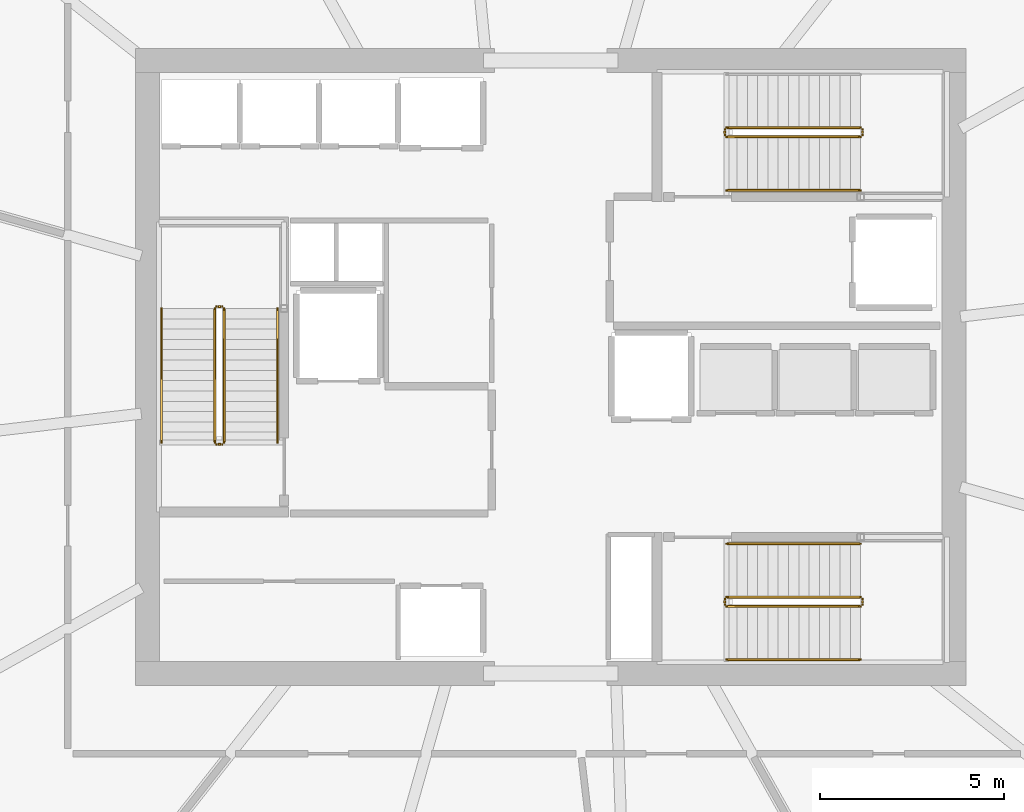
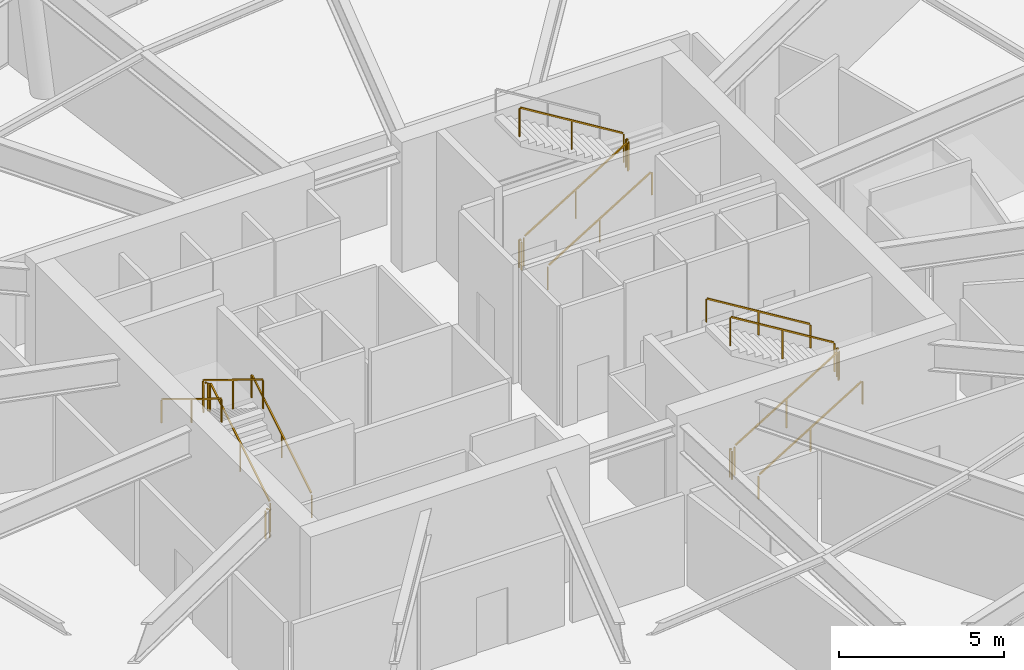
# One storey, part 20 of 22: 17 railings.
"""IFC4 building model written with IfcOpenShell, lengths in metres."""

from ifc_helpers import new_model, si_unit, direction, frame, origin, origin_2d, place, context, subcontext, project, spatial, rectangle, extrude, material, type_object, element, save


model = new_model("IFC4")

# Units and contexts
model_context = context("Model", 3, precision=1e-05, world=origin(), true_north=direction((0.0, 1.0)))
body_context = subcontext(model_context, "Body", "Model", "MODEL_VIEW")
ifc_project = project(units=[si_unit("LENGTHUNIT", "METRE"), si_unit("AREAUNIT", "SQUARE_METRE"), si_unit("VOLUMEUNIT", "CUBIC_METRE"), si_unit("PLANEANGLEUNIT", "RADIAN"), si_unit("MASSUNIT", "GRAM", prefix="KILO")], contexts=[model_context])

# Site, building, storey
site_placement = place(None, origin())
site = spatial("IfcSite", under=ifc_project, at=site_placement, CompositionType="ELEMENT")
building_placement = place(site_placement, origin())
building = spatial("IfcBuilding", under=site, at=building_placement, Name="Kazma Halo Residences", CompositionType="ELEMENT")
storey_placement = place(building_placement, frame((0.0, 0.0, 231.89990234375)))
storey = spatial("IfcBuildingStorey", under=building, at=storey_placement, Name="L58", CompositionType="ELEMENT", Elevation=231.89990234375)

# Railings
ifc_material_1 = material(Name="Painted Steel S355", Category="steel")
railing_type_1 = type_object("IfcRailingType", Name="RLG-STAIR-GRD-1100", PredefinedType="GUARDRAIL", material=ifc_material_1)
railing_1_placement = place(storey_placement, frame((39.550048828125, 39.949951171875, 0.171630859375)))
element("IfcRailing", 1, at=railing_1_placement, inside=storey, type_object=railing_type_1, Name="L58 ST-01 stair guard 1", PredefinedType="GUARDRAIL", context=body_context, shape_type="SweptSolid", body=[
    extrude(rectangle(XDim=0.050048828125, YDim=0.050048828125, at=origin_2d()), frame((0.0, 0.036376953125, 1.09716796875), z_axis=(0.0, 0.852865859571, 0.52213008492), x_axis=(-1.0, 0.0, 0.0)), (0.0, 0.0, 1.0), 4.18310546875),
    extrude(rectangle(XDim=0.0400390625, YDim=0.0400390625, at=origin_2d()), origin(), (0.0, 0.0, 1.0), 1.0380859375),
    extrude(rectangle(XDim=0.0400390625, YDim=0.0400390625, at=origin_2d()), frame((0.0, 1.820068359375, 1.1142578125)), (0.0, 0.0, 1.0), 1.0380859375),
    extrude(rectangle(XDim=0.0400390625, YDim=0.0400390625, at=origin_2d()), frame((0.0, 3.64013671875, 2.228515625)), (0.0, 0.0, 1.0), 1.0380859375),
])
railing_2_placement = place(storey_placement, frame((39.5, 43.639892578125, 2.400146484375)))
element("IfcRailing", 2, at=railing_2_placement, inside=storey, type_object=railing_type_1, Name="L58 ST-01 stair guard 2", PredefinedType="GUARDRAIL", context=body_context, shape_type="SweptSolid", body=[
    extrude(rectangle(XDim=0.050048828125, YDim=0.050048828125, at=origin_2d()), frame((-0.04248046875, 0.0, 1.0751953125), z_axis=(-1.0, 0.0, 0.0), x_axis=(0.0, -1.0, 0.0)), (0.0, 0.0, 1.0), 0.06494140625),
    extrude(rectangle(XDim=0.0400390625, YDim=0.0400390625, at=origin_2d()), origin(), (0.0, 0.0, 1.0), 1.0380859375),
    extrude(rectangle(XDim=0.0400390625, YDim=0.0400390625, at=origin_2d()), frame((-0.14990234375, 0.0, 0.0)), (0.0, 0.0, 1.0), 1.0380859375),
])
railing_3_placement = place(storey_placement, frame((39.300048828125, 43.590087890625, 2.571533203125)))
element("IfcRailing", 3, at=railing_3_placement, inside=storey, type_object=railing_type_1, Name="L58 ST-01 stair guard 3", PredefinedType="GUARDRAIL", context=body_context, shape_type="SweptSolid", body=[
    extrude(rectangle(XDim=0.050048828125, YDim=0.050048828125, at=origin_2d()), frame((0.0, -0.036376953125, 1.09716796875), z_axis=(0.0, -0.852865859571, 0.52213008492), x_axis=(1.0, 0.0, 0.0)), (0.0, 0.0, 1.0), 4.18310546875),
    extrude(rectangle(XDim=0.0400390625, YDim=0.0400390625, at=origin_2d()), origin(), (0.0, 0.0, 1.0), 1.0380859375),
    extrude(rectangle(XDim=0.0400390625, YDim=0.0400390625, at=origin_2d()), frame((0.0, -1.820068359375, 1.1142578125)), (0.0, 0.0, 1.0), 1.0380859375),
    extrude(rectangle(XDim=0.0400390625, YDim=0.0400390625, at=origin_2d()), frame((0.0, -3.64013671875, 2.228515625)), (0.0, 0.0, 1.0), 1.0380859375),
])
railing_4_placement = place(storey_placement, frame((39.5, 39.89990234375, 0.0)))
element("IfcRailing", 4, at=railing_4_placement, inside=storey, type_object=railing_type_1, Name="L58 ST-01 stair guard 4", PredefinedType="GUARDRAIL", context=body_context, shape_type="SweptSolid", body=[
    extrude(rectangle(XDim=0.050048828125, YDim=0.050048828125, at=origin_2d()), frame((-0.04248046875, 0.0, 1.0751953125), z_axis=(-1.0, 0.0, 0.0), x_axis=(0.0, -1.0, 0.0)), (0.0, 0.0, 1.0), 0.06494140625),
    extrude(rectangle(XDim=0.0400390625, YDim=0.0400390625, at=origin_2d()), origin(), (0.0, 0.0, 1.0), 1.0380859375),
    extrude(rectangle(XDim=0.0400390625, YDim=0.0400390625, at=origin_2d()), frame((-0.14990234375, 0.0, 0.0)), (0.0, 0.0, 1.0), 1.0380859375),
])
railing_5_placement = place(storey_placement, frame((53.199951171875, 48.25, 0.171630859375)))
element("IfcRailing", 5, at=railing_5_placement, inside=storey, type_object=railing_type_1, Name="L58 ST-02 stair guard 1", PredefinedType="GUARDRAIL", context=body_context, shape_type="SweptSolid", body=[
    extrude(rectangle(XDim=0.050048828125, YDim=0.050048828125, at=origin_2d()), frame((0.036376953125, 0.0, 1.09716796875), z_axis=(0.852865859571, 0.0, 0.52213008492), x_axis=(0.0, 1.0, 0.0)), (0.0, 0.0, 1.0), 4.18310546875),
    extrude(rectangle(XDim=0.0400390625, YDim=0.0400390625, at=origin_2d()), origin(), (0.0, 0.0, 1.0), 1.0380859375),
    extrude(rectangle(XDim=0.0400390625, YDim=0.0400390625, at=origin_2d()), frame((1.820068359375, 0.0, 1.1142578125)), (0.0, 0.0, 1.0), 1.0380859375),
    extrude(rectangle(XDim=0.0400390625, YDim=0.0400390625, at=origin_2d()), frame((3.64013671875, 0.0, 2.228515625)), (0.0, 0.0, 1.0), 1.0380859375),
])
railing_6_placement = place(storey_placement, frame((56.889892578125, 48.300048828125, 2.400146484375)))
element("IfcRailing", 6, at=railing_6_placement, inside=storey, type_object=railing_type_1, Name="L58 ST-02 stair guard 2", PredefinedType="GUARDRAIL", context=body_context, shape_type="SweptSolid", body=[
    extrude(rectangle(XDim=0.050048828125, YDim=0.050048828125, at=origin_2d()), frame((0.0, 0.04248046875, 1.0751953125), z_axis=(0.0, 1.0, 0.0), x_axis=(-1.0, 0.0, 0.0)), (0.0, 0.0, 1.0), 0.06494140625),
    extrude(rectangle(XDim=0.0400390625, YDim=0.0400390625, at=origin_2d()), origin(), (0.0, 0.0, 1.0), 1.0380859375),
    extrude(rectangle(XDim=0.0400390625, YDim=0.0400390625, at=origin_2d()), frame((0.0, 0.14990234375, 0.0)), (0.0, 0.0, 1.0), 1.0380859375),
])
railing_7_placement = place(storey_placement, frame((56.840087890625, 48.5, 2.571533203125)))
element("IfcRailing", 7, at=railing_7_placement, inside=storey, type_object=railing_type_1, Name="L58 ST-02 stair guard 3", PredefinedType="GUARDRAIL", context=body_context, shape_type="SweptSolid", body=[
    extrude(rectangle(XDim=0.050048828125, YDim=0.050048828125, at=origin_2d()), frame((-0.036376953125, 0.0, 1.09716796875), z_axis=(-0.852865859571, 0.0, 0.52213008492), x_axis=(0.0, -1.0, 0.0)), (0.0, 0.0, 1.0), 4.18310546875),
    extrude(rectangle(XDim=0.0400390625, YDim=0.0400390625, at=origin_2d()), origin(), (0.0, 0.0, 1.0), 1.0380859375),
    extrude(rectangle(XDim=0.0400390625, YDim=0.0400390625, at=origin_2d()), frame((-1.820068359375, 0.0, 1.1142578125)), (0.0, 0.0, 1.0), 1.0380859375),
    extrude(rectangle(XDim=0.0400390625, YDim=0.0400390625, at=origin_2d()), frame((-3.64013671875, 0.0, 2.228515625)), (0.0, 0.0, 1.0), 1.0380859375),
])
railing_8_placement = place(storey_placement, frame((53.14990234375, 48.300048828125, 0.0)))
element("IfcRailing", 8, at=railing_8_placement, inside=storey, type_object=railing_type_1, Name="L58 ST-02 stair guard 4", PredefinedType="GUARDRAIL", context=body_context, shape_type="SweptSolid", body=[
    extrude(rectangle(XDim=0.050048828125, YDim=0.050048828125, at=origin_2d()), frame((0.0, 0.04248046875, 1.0751953125), z_axis=(0.0, 1.0, 0.0), x_axis=(-1.0, 0.0, 0.0)), (0.0, 0.0, 1.0), 0.06494140625),
    extrude(rectangle(XDim=0.0400390625, YDim=0.0400390625, at=origin_2d()), origin(), (0.0, 0.0, 1.0), 1.0380859375),
    extrude(rectangle(XDim=0.0400390625, YDim=0.0400390625, at=origin_2d()), frame((0.0, 0.14990234375, 0.0)), (0.0, 0.0, 1.0), 1.0380859375),
])
railing_9_placement = place(storey_placement, frame((53.199951171875, 35.5, 0.171630859375)))
element("IfcRailing", 9, at=railing_9_placement, inside=storey, type_object=railing_type_1, Name="L58 ST-03 stair guard 1", PredefinedType="GUARDRAIL", context=body_context, shape_type="SweptSolid", body=[
    extrude(rectangle(XDim=0.050048828125, YDim=0.050048828125, at=origin_2d()), frame((0.036376953125, 0.0, 1.09716796875), z_axis=(0.852865859571, 0.0, 0.52213008492), x_axis=(0.0, 1.0, 0.0)), (0.0, 0.0, 1.0), 4.18310546875),
    extrude(rectangle(XDim=0.0400390625, YDim=0.0400390625, at=origin_2d()), origin(), (0.0, 0.0, 1.0), 1.0380859375),
    extrude(rectangle(XDim=0.0400390625, YDim=0.0400390625, at=origin_2d()), frame((1.820068359375, 0.0, 1.1142578125)), (0.0, 0.0, 1.0), 1.0380859375),
    extrude(rectangle(XDim=0.0400390625, YDim=0.0400390625, at=origin_2d()), frame((3.64013671875, 0.0, 2.228515625)), (0.0, 0.0, 1.0), 1.0380859375),
])
railing_10_placement = place(storey_placement, frame((56.889892578125, 35.550048828125, 2.400146484375)))
element("IfcRailing", 10, at=railing_10_placement, inside=storey, type_object=railing_type_1, Name="L58 ST-03 stair guard 2", PredefinedType="GUARDRAIL", context=body_context, shape_type="SweptSolid", body=[
    extrude(rectangle(XDim=0.050048828125, YDim=0.050048828125, at=origin_2d()), frame((0.0, 0.04248046875, 1.0751953125), z_axis=(0.0, 1.0, 0.0), x_axis=(-1.0, 0.0, 0.0)), (0.0, 0.0, 1.0), 0.06494140625),
    extrude(rectangle(XDim=0.0400390625, YDim=0.0400390625, at=origin_2d()), origin(), (0.0, 0.0, 1.0), 1.0380859375),
    extrude(rectangle(XDim=0.0400390625, YDim=0.0400390625, at=origin_2d()), frame((0.0, 0.14990234375, 0.0)), (0.0, 0.0, 1.0), 1.0380859375),
])
railing_11_placement = place(storey_placement, frame((56.840087890625, 35.75, 2.571533203125)))
element("IfcRailing", 11, at=railing_11_placement, inside=storey, type_object=railing_type_1, Name="L58 ST-03 stair guard 3", PredefinedType="GUARDRAIL", context=body_context, shape_type="SweptSolid", body=[
    extrude(rectangle(XDim=0.050048828125, YDim=0.050048828125, at=origin_2d()), frame((-0.036376953125, 0.0, 1.09716796875), z_axis=(-0.852865859571, 0.0, 0.52213008492), x_axis=(0.0, -1.0, 0.0)), (0.0, 0.0, 1.0), 4.18310546875),
    extrude(rectangle(XDim=0.0400390625, YDim=0.0400390625, at=origin_2d()), origin(), (0.0, 0.0, 1.0), 1.0380859375),
    extrude(rectangle(XDim=0.0400390625, YDim=0.0400390625, at=origin_2d()), frame((-1.820068359375, 0.0, 1.1142578125)), (0.0, 0.0, 1.0), 1.0380859375),
    extrude(rectangle(XDim=0.0400390625, YDim=0.0400390625, at=origin_2d()), frame((-3.64013671875, 0.0, 2.228515625)), (0.0, 0.0, 1.0), 1.0380859375),
])
railing_12_placement = place(storey_placement, frame((53.14990234375, 35.550048828125, 0.0)))
element("IfcRailing", 12, at=railing_12_placement, inside=storey, type_object=railing_type_1, Name="L58 ST-03 stair guard 4", PredefinedType="GUARDRAIL", context=body_context, shape_type="SweptSolid", body=[
    extrude(rectangle(XDim=0.050048828125, YDim=0.050048828125, at=origin_2d()), frame((0.0, 0.04248046875, 1.0751953125), z_axis=(0.0, 1.0, 0.0), x_axis=(-1.0, 0.0, 0.0)), (0.0, 0.0, 1.0), 0.06494140625),
    extrude(rectangle(XDim=0.0400390625, YDim=0.0400390625, at=origin_2d()), origin(), (0.0, 0.0, 1.0), 1.0380859375),
    extrude(rectangle(XDim=0.0400390625, YDim=0.0400390625, at=origin_2d()), frame((0.0, 0.14990234375, 0.0)), (0.0, 0.0, 1.0), 1.0380859375),
])
ifc_material_2 = material(Name="Brushed Stainless Steel", Category="steel")
railing_type_2 = type_object("IfcRailingType", Name="RLG-STAIR-HND-900", PredefinedType="HANDRAIL", material=ifc_material_2)
railing_13_placement = place(storey_placement, frame((41.0, 39.949951171875, 0.171630859375)))
element("IfcRailing", 13, at=railing_13_placement, inside=storey, type_object=railing_type_2, Name="L58 ST-01 stair handrail 1", PredefinedType="HANDRAIL", context=body_context, shape_type="SweptSolid", body=[
    extrude(rectangle(XDim=0.050048828125, YDim=0.050048828125, at=origin_2d()), frame((0.0, 0.036376953125, 0.89697265625), z_axis=(0.0, 0.852865859571, 0.52213008492), x_axis=(-1.0, 0.0, 0.0)), (0.0, 0.0, 1.0), 4.18310546875),
    extrude(rectangle(XDim=0.0400390625, YDim=0.0400390625, at=origin_2d()), origin(), (0.0, 0.0, 1.0), 0.837890625),
    extrude(rectangle(XDim=0.0400390625, YDim=0.0400390625, at=origin_2d()), frame((0.0, 1.820068359375, 1.1142578125)), (0.0, 0.0, 1.0), 0.837890625),
    extrude(rectangle(XDim=0.0400390625, YDim=0.0400390625, at=origin_2d()), frame((0.0, 3.64013671875, 2.228515625)), (0.0, 0.0, 1.0), 0.837890625),
])
railing_14_placement = place(storey_placement, frame((37.85009765625, 43.590087890625, 2.571533203125)))
element("IfcRailing", 14, at=railing_14_placement, inside=storey, type_object=railing_type_2, Name="L58 ST-01 stair handrail 2", PredefinedType="HANDRAIL", context=body_context, shape_type="SweptSolid", body=[
    extrude(rectangle(XDim=0.050048828125, YDim=0.050048828125, at=origin_2d()), frame((0.0, -0.036376953125, 0.89697265625), z_axis=(0.0, -0.852865859571, 0.52213008492), x_axis=(1.0, 0.0, 0.0)), (0.0, 0.0, 1.0), 4.18310546875),
    extrude(rectangle(XDim=0.0400390625, YDim=0.0400390625, at=origin_2d()), origin(), (0.0, 0.0, 1.0), 0.837890625),
    extrude(rectangle(XDim=0.0400390625, YDim=0.0400390625, at=origin_2d()), frame((0.0, -1.820068359375, 1.1142578125)), (0.0, 0.0, 1.0), 0.837890625),
    extrude(rectangle(XDim=0.0400390625, YDim=0.0400390625, at=origin_2d()), frame((0.0, -3.64013671875, 2.228515625)), (0.0, 0.0, 1.0), 0.837890625),
])
for number, where, name in (
    (15, (53.199951171875, 46.800048828125, 0.171630859375), "L58 ST-02 stair handrail 1"),
    (16, (53.199951171875, 34.050048828125, 0.171630859375), "L58 ST-03 stair handrail 1"),
):
    element("IfcRailing", number, at=place(storey_placement, frame(where)), inside=storey, type_object=railing_type_2, Name=name, PredefinedType="HANDRAIL", context=body_context, shape_type="SweptSolid", body=[
        extrude(rectangle(XDim=0.050048828125, YDim=0.050048828125, at=origin_2d()), frame((0.036376953125, 0.0, 0.89697265625), z_axis=(0.852865859571, 0.0, 0.52213008492), x_axis=(0.0, 1.0, 0.0)), (0.0, 0.0, 1.0), 4.18310546875),
        extrude(rectangle(XDim=0.0400390625, YDim=0.0400390625, at=origin_2d()), origin(), (0.0, 0.0, 1.0), 0.837890625),
        extrude(rectangle(XDim=0.0400390625, YDim=0.0400390625, at=origin_2d()), frame((1.820068359375, 0.0, 1.1142578125)), (0.0, 0.0, 1.0), 0.837890625),
        extrude(rectangle(XDim=0.0400390625, YDim=0.0400390625, at=origin_2d()), frame((3.64013671875, 0.0, 2.228515625)), (0.0, 0.0, 1.0), 0.837890625),
    ])
railing_15_placement = place(storey_placement, frame((56.840087890625, 37.199951171875, 2.571533203125)))
element("IfcRailing", 17, at=railing_15_placement, inside=storey, type_object=railing_type_2, Name="L58 ST-03 stair handrail 2", PredefinedType="HANDRAIL", context=body_context, shape_type="SweptSolid", body=[
    extrude(rectangle(XDim=0.050048828125, YDim=0.050048828125, at=origin_2d()), frame((-0.036376953125, 0.0, 0.89697265625), z_axis=(-0.852865859571, 0.0, 0.52213008492), x_axis=(0.0, -1.0, 0.0)), (0.0, 0.0, 1.0), 4.18310546875),
    extrude(rectangle(XDim=0.0400390625, YDim=0.0400390625, at=origin_2d()), origin(), (0.0, 0.0, 1.0), 0.837890625),
    extrude(rectangle(XDim=0.0400390625, YDim=0.0400390625, at=origin_2d()), frame((-1.820068359375, 0.0, 1.1142578125)), (0.0, 0.0, 1.0), 0.837890625),
    extrude(rectangle(XDim=0.0400390625, YDim=0.0400390625, at=origin_2d()), frame((-3.64013671875, 0.0, 2.228515625)), (0.0, 0.0, 1.0), 0.837890625),
])

save(model, "model.ifc")
